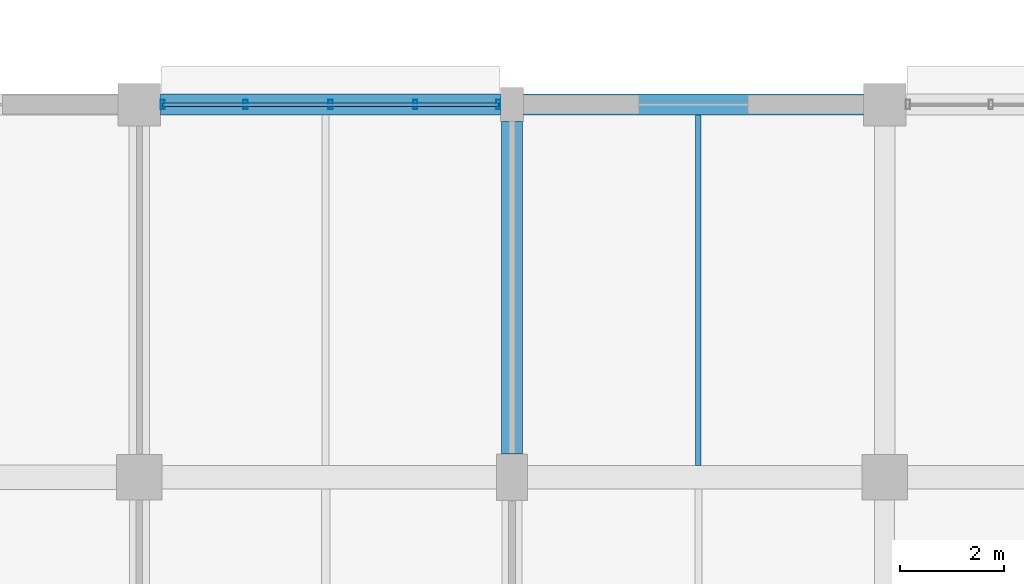
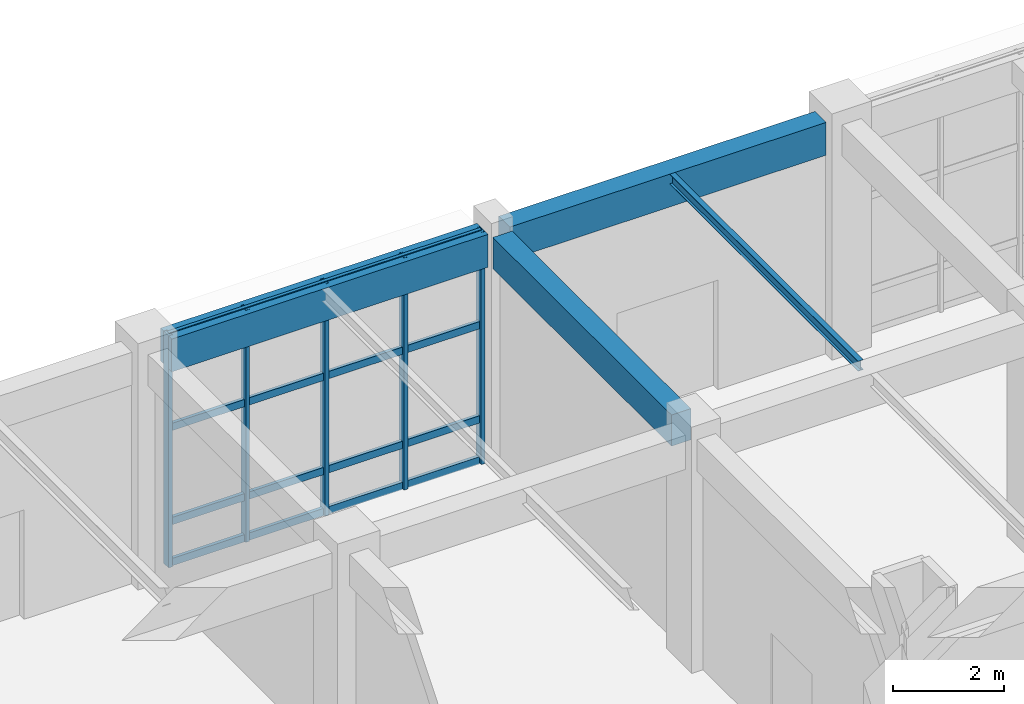
# One storey, part 82 of 160: 9 members, 4 beams, 1 element without a shape of its own.
"""IFC4 building model written with IfcOpenShell, lengths in metres."""

from ifc_helpers import new_model, si_unit, direction, frame, origin, origin_2d, place, context, subcontext, project, spatial, rectangle, hollow_rectangle, i_section, extrude, material, material_profile, profile_set, type_object, element, aggregate, save


model = new_model("IFC4")

# Units and contexts
model_context = context("Model", 3, precision=1e-05, world=origin(), true_north=direction((0.0, 1.0)))
body_context = subcontext(model_context, "Body", "Model", "MODEL_VIEW")
ifc_project = project(units=[si_unit("LENGTHUNIT", "METRE"), si_unit("AREAUNIT", "SQUARE_METRE"), si_unit("VOLUMEUNIT", "CUBIC_METRE"), si_unit("PLANEANGLEUNIT", "RADIAN"), si_unit("MASSUNIT", "GRAM", prefix="KILO")], contexts=[model_context])

# Site, building, storey
site_placement = place(None, origin())
site = spatial("IfcSite", under=ifc_project, at=site_placement, CompositionType="ELEMENT")
building_placement = place(site_placement, origin())
building = spatial("IfcBuilding", under=site, at=building_placement, Name="Thalmaran Polytechnic", CompositionType="ELEMENT")
storey_placement = place(building_placement, origin())
storey = spatial("IfcBuildingStorey", under=building, at=storey_placement, Name="L00", CompositionType="ELEMENT", Elevation=0.0)

# Beams
ifc_material_1 = material(Name="Steel S355", Category="steel")
ifc_material_profile_1 = material_profile(ifc_material_1, i_section(OverallWidth=0.110107421875, OverallDepth=0.219970703125, WebThickness=0.005859375, FlangeThickness=0.00927734375, at=origin_2d()), Name="IPE 220")
ifc_profile_set_1 = profile_set([ifc_material_profile_1], Name="Steel S355")
beam_type_1 = type_object("IfcBeamType", Name="BM-SJ04", PredefinedType="JOIST", material=ifc_profile_set_1)
beam_1_placement = place(storey_placement, frame((90.0, 115.429931640625, 4.97998046875), z_axis=(0.0, 1.0, 0.0), x_axis=(-1.0, 0.0, 0.0)))
element("IfcBeam", 1, at=beam_1_placement, inside=storey, type_object=beam_type_1, Name="Secondary Floor Rib SJ04 L00 (12,16)", PredefinedType="JOIST", context=body_context, shape_type="SweptSolid", body=[
    extrude(i_section(OverallWidth=0.110107421875, OverallDepth=0.219970703125, WebThickness=0.005859375, FlangeThickness=0.00927734375, at=origin_2d()), origin(), (0.0, 0.0, 1.0), 6.77001953125),
])
ifc_material_2 = material(Name="Concrete C40/50", Category="concrete")
ifc_material_profile_2 = material_profile(ifc_material_2, rectangle(XDim=0.39990234375, YDim=0.719970703125, at=origin_2d()), Name="RC 400x720")
ifc_profile_set_2 = profile_set([ifc_material_profile_2], Name="Concrete C40/50")
beam_type_2 = type_object("IfcBeamType", Name="BM-SP01", PredefinedType="SPANDREL", material=ifc_profile_set_2)
for number, where, z_axis, x_axis, name in (
    (2, (79.610107421875, 122.39990234375, 4.72998046875), (1.0, 0.0, 0.0), (0.0, 1.0, 0.0), "Grid Beam SP01 L00 X(11,17)"),
    (3, (86.625, 122.39990234375, 4.72998046875), (1.0, 0.0, 0.0), (0.0, 1.0, 0.0), "Grid Beam SP01 L00 X(12,17)"),
):
    element("IfcBeam", number, at=place(storey_placement, frame(where, z_axis=z_axis, x_axis=x_axis)), inside=storey, type_object=beam_type_2, Name=name, PredefinedType="SPANDREL", context=body_context, shape_type="SweptSolid", body=[
        extrude(rectangle(XDim=0.39990234375, YDim=0.719970703125, at=origin_2d()), origin(), (0.0, 0.0, 1.0), 6.56494140625),
    ])
ifc_material_profile_3 = material_profile(ifc_material_2, rectangle(XDim=0.39990234375, YDim=0.68505859375, at=origin_2d()), Name="RC 400x685")
ifc_profile_set_3 = profile_set([ifc_material_profile_3], Name="Concrete C40/50")
beam_type_3 = type_object("IfcBeamType", Name="BM-ZB07", PredefinedType="BEAM", material=ifc_profile_set_3)
beam_2_placement = place(storey_placement, frame((86.39990234375, 115.64990234375, 4.74755859375), z_axis=(0.0, 1.0, 0.0), x_axis=(-1.0, 0.0, 0.0)))
element("IfcBeam", 4, at=beam_2_placement, inside=storey, type_object=beam_type_3, Name="Grid Beam ZB07 L00 Y(12,16)", PredefinedType="BEAM", context=body_context, shape_type="SweptSolid", body=[
    extrude(rectangle(XDim=0.39990234375, YDim=0.68505859375, at=origin_2d()), origin(), (0.0, 0.0, 1.0), 6.425048828125),
])

# Curtain wall, members
ifc_material_3 = material(Name="Aluminium 6063-T6", Category="aluminium")
curtain_wall_type = type_object("IfcCurtainWallType", Name="CW-UC01", PredefinedType="USERDEFINED", material=ifc_material_3)
curtain_wall_placement = place(storey_placement, origin())
curtain_wall = element("IfcCurtainWall", 5, at=curtain_wall_placement, inside=storey, type_object=curtain_wall_type, Name="Curtain Wall CW-L00-007", ObjectType="UNITISED CURTAIN WALL", PredefinedType="USERDEFINED")
ifc_material_profile_4 = material_profile(ifc_material_3, hollow_rectangle(XDim=0.080078125, YDim=0.179931640625, WallThickness=0.0048828125, at=origin_2d()), Name="RHS 180x80x5.0")
ifc_profile_set_4 = profile_set([ifc_material_profile_4], Name="Aluminium 6063-T6")
member_type_1 = type_object("IfcMemberType", Name="CW-MUL1", PredefinedType="MULLION", material=ifc_profile_set_4)
member_1_placement = place(storey_placement, frame((79.64990234375, 122.39990234375, 0.0), z_axis=(0.0, 0.0, 1.0), x_axis=(1.0, 0.0, 0.0)))
member_1 = element("IfcMember", 6, at=member_1_placement, type_object=member_type_1, Name="CW-L00-007 Mullion 1", PredefinedType="MULLION", context=body_context, shape_type="SweptSolid", body=[
    extrude(hollow_rectangle(XDim=0.080078125, YDim=0.179931640625, WallThickness=0.0048828125, at=origin_2d()), origin(), (0.0, 0.0, 1.0), 5.090087890625),
])
member_2_placement = place(storey_placement, frame((81.251220703125, 122.39990234375, 0.0), z_axis=(0.0, 0.0, 1.0), x_axis=(1.0, 0.0, 0.0)))
member_2 = element("IfcMember", 7, at=member_2_placement, type_object=member_type_1, Name="CW-L00-007 Mullion 2", PredefinedType="MULLION", context=body_context, shape_type="SweptSolid", body=[
    extrude(hollow_rectangle(XDim=0.080078125, YDim=0.179931640625, WallThickness=0.0048828125, at=origin_2d()), origin(), (0.0, 0.0, 1.0), 5.090087890625),
])
member_3_placement = place(storey_placement, frame((82.892578125, 122.39990234375, 0.0), z_axis=(0.0, 0.0, 1.0), x_axis=(1.0, 0.0, 0.0)))
member_3 = element("IfcMember", 8, at=member_3_placement, type_object=member_type_1, Name="CW-L00-007 Mullion 3", PredefinedType="MULLION", context=body_context, shape_type="SweptSolid", body=[
    extrude(hollow_rectangle(XDim=0.080078125, YDim=0.179931640625, WallThickness=0.0048828125, at=origin_2d()), origin(), (0.0, 0.0, 1.0), 5.090087890625),
])
member_4_placement = place(storey_placement, frame((84.53369140625, 122.39990234375, 0.0), z_axis=(0.0, 0.0, 1.0), x_axis=(1.0, 0.0, 0.0)))
member_4 = element("IfcMember", 9, at=member_4_placement, type_object=member_type_1, Name="CW-L00-007 Mullion 4", PredefinedType="MULLION", context=body_context, shape_type="SweptSolid", body=[
    extrude(hollow_rectangle(XDim=0.080078125, YDim=0.179931640625, WallThickness=0.0048828125, at=origin_2d()), origin(), (0.0, 0.0, 1.0), 5.090087890625),
])
member_5_placement = place(storey_placement, frame((86.135009765625, 122.39990234375, 0.0), z_axis=(0.0, 0.0, 1.0), x_axis=(1.0, 0.0, 0.0)))
member_5 = element("IfcMember", 10, at=member_5_placement, type_object=member_type_1, Name="CW-L00-007 Mullion 5", PredefinedType="MULLION", context=body_context, shape_type="SweptSolid", body=[
    extrude(hollow_rectangle(XDim=0.080078125, YDim=0.179931640625, WallThickness=0.0048828125, at=origin_2d()), origin(), (0.0, 0.0, 1.0), 5.090087890625),
])
ifc_material_profile_5 = material_profile(ifc_material_3, hollow_rectangle(XDim=0.070068359375, YDim=0.159912109375, WallThickness=0.00390625, at=origin_2d()), Name="AL 160x70x4.0")
ifc_profile_set_5 = profile_set([ifc_material_profile_5], Name="Aluminium 6063-T6")
member_type_2 = type_object("IfcMemberType", Name="CW-TRN1", PredefinedType="USERDEFINED", material=ifc_profile_set_5)
member_6_placement = place(storey_placement, frame((79.64990234375, 122.39990234375, 0.06005859375), z_axis=(1.0, 0.0, 0.0), x_axis=(0.0, 1.0, 0.0)))
member_6 = element("IfcMember", 11, at=member_6_placement, type_object=member_type_2, Name="CW-L00-007 Transom 1", ObjectType="TRANSOM", PredefinedType="USERDEFINED", context=body_context, shape_type="SweptSolid", body=[
    extrude(hollow_rectangle(XDim=0.070068359375, YDim=0.159912109375, WallThickness=0.00390625, at=origin_2d()), origin(), (0.0, 0.0, 1.0), 6.485107421875),
])
member_7_placement = place(storey_placement, frame((79.64990234375, 122.39990234375, 0.9599609375), z_axis=(1.0, 0.0, 0.0), x_axis=(0.0, 1.0, 0.0)))
member_7 = element("IfcMember", 12, at=member_7_placement, type_object=member_type_2, Name="CW-L00-007 Transom 2", ObjectType="TRANSOM", PredefinedType="USERDEFINED", context=body_context, shape_type="SweptSolid", body=[
    extrude(hollow_rectangle(XDim=0.070068359375, YDim=0.159912109375, WallThickness=0.00390625, at=origin_2d()), origin(), (0.0, 0.0, 1.0), 6.485107421875),
])
member_8_placement = place(storey_placement, frame((79.64990234375, 122.39990234375, 3.02490234375), z_axis=(1.0, 0.0, 0.0), x_axis=(0.0, 1.0, 0.0)))
member_8 = element("IfcMember", 13, at=member_8_placement, type_object=member_type_2, Name="CW-L00-007 Transom 3", ObjectType="TRANSOM", PredefinedType="USERDEFINED", context=body_context, shape_type="SweptSolid", body=[
    extrude(hollow_rectangle(XDim=0.070068359375, YDim=0.159912109375, WallThickness=0.00390625, at=origin_2d()), origin(), (0.0, 0.0, 1.0), 6.485107421875),
])
member_9_placement = place(storey_placement, frame((79.64990234375, 122.39990234375, 5.030029296875), z_axis=(1.0, 0.0, 0.0), x_axis=(0.0, 1.0, 0.0)))
member_9 = element("IfcMember", 14, at=member_9_placement, type_object=member_type_2, Name="CW-L00-007 Transom 4", ObjectType="TRANSOM", PredefinedType="USERDEFINED", context=body_context, shape_type="SweptSolid", body=[
    extrude(hollow_rectangle(XDim=0.070068359375, YDim=0.159912109375, WallThickness=0.00390625, at=origin_2d()), origin(), (0.0, 0.0, 1.0), 6.485107421875),
])
aggregate(curtain_wall, [member_1, member_2, member_3, member_4, member_5, member_6, member_7, member_8, member_9])

save(model, "model.ifc")
